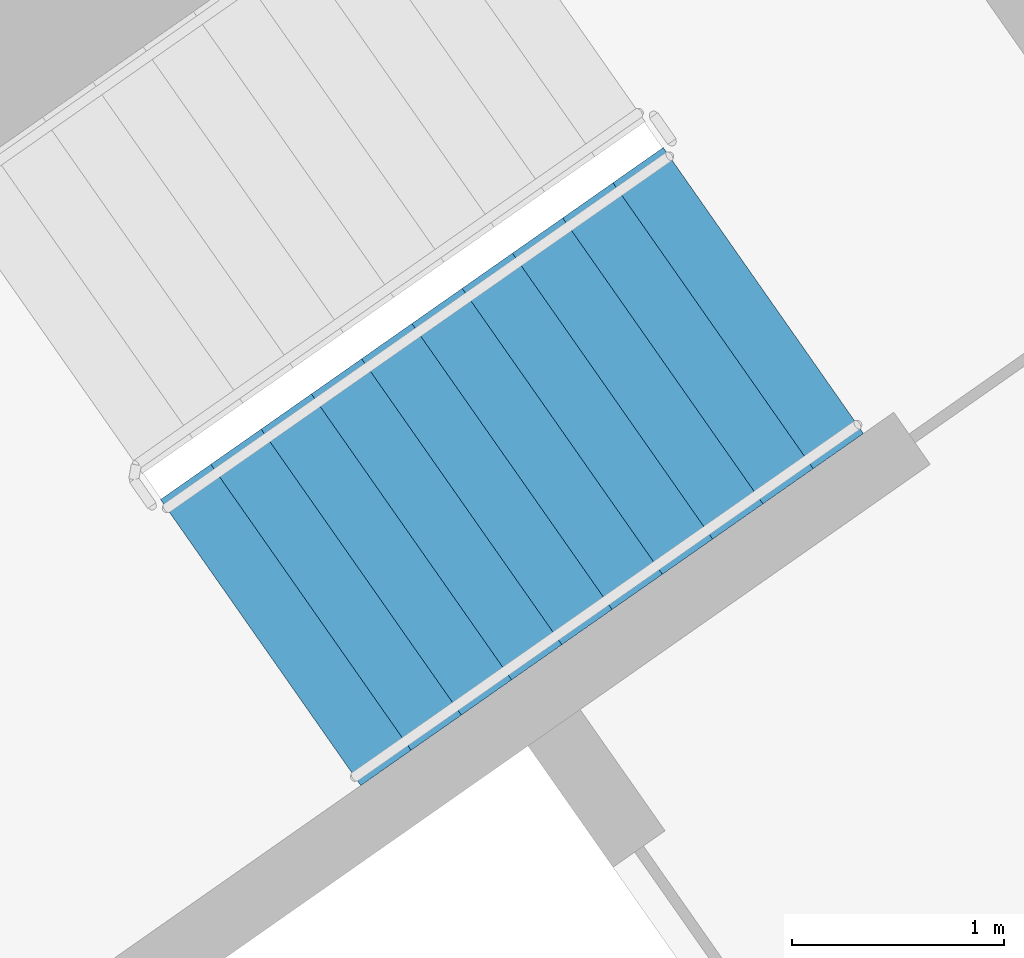
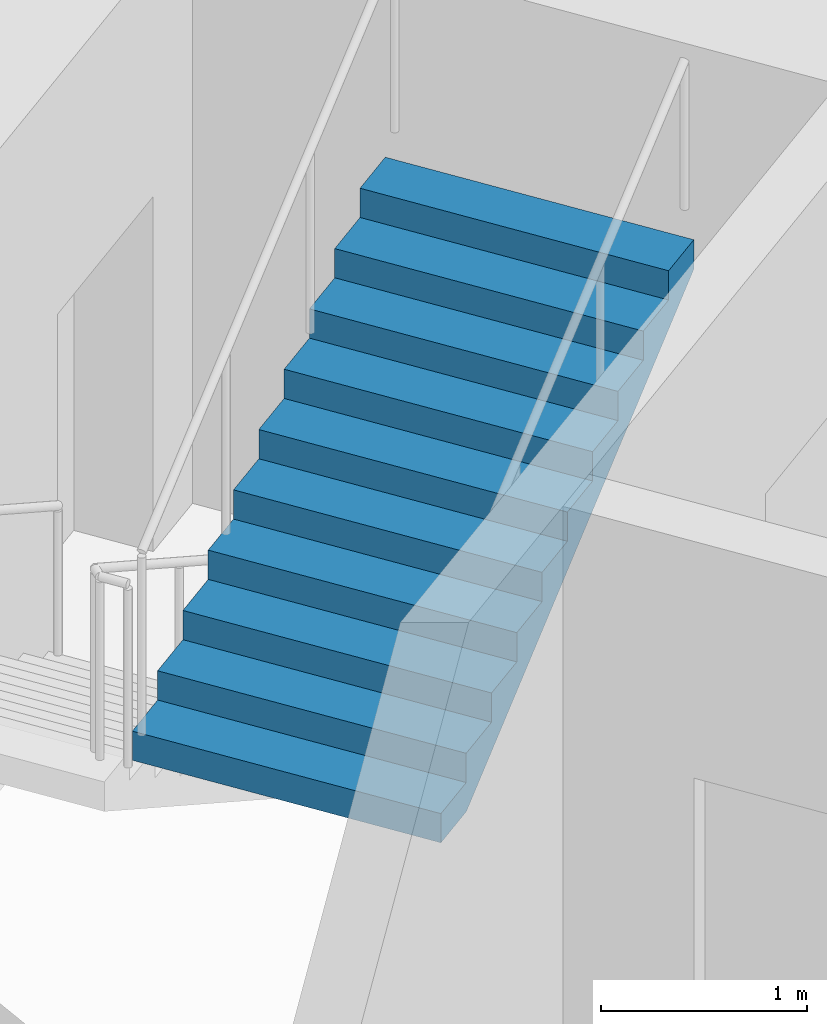
# One storey, part 14 of 31: 1 stair flight, 1 element without a shape of its own.
"""IFC4 building model written with IfcOpenShell, lengths in metres."""

import ifcopenshell
import ifcopenshell.guid

model = None  # the IFC model being written
_history = None  # IfcOwnerHistory: only IFC2X3 demands one
_inside = {}  # id of a spatial element -> (the spatial element, [elements in it])
_under = {}  # id of a project, library or spatial element -> (it, [spatial elements below it])
_declared = {}  # id of a project -> (the project, [libraries it declares])
_typed = {}  # id of a type object -> (the type object, [elements of that type])
_made_of = {}  # id of a material, layer set ... -> (it, [elements and type objects made of it])


def new_model(schema):
    """Start an empty IFC model of exactly this schema.

    Asked for "IFC4X3", IfcOpenShell would pick the latest addendum, in which some entities
    have other attributes; the version numbers below select the first issue.
    IFC2X3 requires an IfcOwnerHistory on every rooted entity: one is made here for all.
    """
    global model, _history
    if schema == "IFC4X3":
        model = ifcopenshell.file(schema_version=(4, 3, 0, 0))
    else:
        model = ifcopenshell.file(schema=schema)
    _inside.clear()
    _under.clear()
    _declared.clear()
    _typed.clear()
    _made_of.clear()
    _history = None
    if model.schema == "IFC2X3":
        org = make("IfcOrganization", Name="unknown")
        user = make(
            "IfcPersonAndOrganization",
            ThePerson=make("IfcPerson", FamilyName="unknown"),
            TheOrganization=org,
        )
        app = make(
            "IfcApplication",
            ApplicationDeveloper=org,
            Version="unknown",
            ApplicationFullName="unknown",
            ApplicationIdentifier="unknown",
        )
        _history = make(
            "IfcOwnerHistory",
            OwningUser=user,
            OwningApplication=app,
            ChangeAction="ADDED",
            CreationDate=0,
        )
    return model


def make(cls, **values):
    """One entity of the class cls with the attributes given. An attribute that is None is left unset."""
    return model.create_entity(
        cls, **{name: value for name, value in values.items() if value is not None}
    )


def rooted(cls, **values):
    """An entity with a GlobalId (a new one), such as an element, a storey or a relation."""
    return make(cls, GlobalId=ifcopenshell.guid.new(), OwnerHistory=_history, **values)


def si_unit(unit_type, name, prefix=None):
    """IfcSIUnit, for example si_unit("LENGTHUNIT", "METRE", prefix="MILLI")."""
    return make("IfcSIUnit", UnitType=unit_type, Prefix=prefix, Name=name)


def assignment(units):
    """IfcUnitAssignment: the units of a project."""
    return None if units is None else make("IfcUnitAssignment", Units=units)


def point(xyz):
    """IfcCartesianPoint."""
    return None if xyz is None else make("IfcCartesianPoint", Coordinates=xyz)


def direction(xyz):
    """IfcDirection."""
    return None if xyz is None else make("IfcDirection", DirectionRatios=xyz)


def frame(location, z_axis=None, x_axis=None):
    """IfcAxis2Placement3D, a coordinate frame: its origin and axes. An axis left out is left unset."""
    return make(
        "IfcAxis2Placement3D",
        Location=point(location),
        Axis=direction(z_axis),
        RefDirection=direction(x_axis),
    )


def origin():
    """The frame at (0, 0, 0) with its axes left unset."""
    return frame((0.0, 0.0, 0.0))


def place(relative_to, where):
    """IfcLocalPlacement: puts the frame where relative to a parent placement (None: the world)."""
    return make(
        "IfcLocalPlacement", PlacementRelTo=relative_to, RelativePlacement=where
    )


def context(
    kind, dimensions, precision=None, world=None, true_north=None, identifier=None
):
    """IfcGeometricRepresentationContext, for example the 3D "Model" context."""
    return make(
        "IfcGeometricRepresentationContext",
        ContextIdentifier=identifier,
        ContextType=kind,
        CoordinateSpaceDimension=dimensions,
        Precision=precision,
        WorldCoordinateSystem=world,
        TrueNorth=true_north,
    )


def subcontext(parent, identifier, kind, view, scale=None):
    """IfcGeometricRepresentationSubContext, for example "Body" below "Model"."""
    return make(
        "IfcGeometricRepresentationSubContext",
        ContextIdentifier=identifier,
        ContextType=kind,
        ParentContext=parent,
        TargetScale=scale,
        TargetView=view,
    )


def project(units=None, contexts=None):
    """IfcProject with its units and contexts."""
    return rooted(
        "IfcProject",
        Name="project",
        RepresentationContexts=contexts,
        UnitsInContext=assignment(units),
    )


def spatial(cls, under=None, at=None, **own):
    """A site, building, storey or space (cls), placed at a placement, below another one or the project."""
    s = rooted(cls, ObjectPlacement=at, **own)
    if under is not None:
        _under.setdefault(under.id(), (under, []))[1].append(s)
    return s


def faces_of(points, faces, orient=None, outer=None):
    """IfcFace entities. A face is a list of loops; a loop is a list of indices into points, from 0.

    orient and outer hold one flag for each loop. By default every Orientation is true, the
    first loop of a face is its IfcFaceOuterBound and the others are IfcFaceBound.
    """
    made = []
    for i, loops in enumerate(faces):
        bounds = []
        for j, loop in enumerate(loops):
            is_outer = j == 0 if outer is None else outer[i][j]
            bounds.append(
                make(
                    "IfcFaceOuterBound" if is_outer else "IfcFaceBound",
                    Bound=make("IfcPolyLoop", Polygon=[points[k] for k in loop]),
                    Orientation=True if orient is None else orient[i][j],
                )
            )
        made.append(make("IfcFace", Bounds=bounds))
    return made


def faceted_brep(points, faces, orient=None, outer=None, voids=None):
    """IfcFacetedBrep: a solid bounded by flat faces; with voids (closed shells), ...WithVoids."""
    shared = [point(p) for p in points]
    hull = make("IfcClosedShell", CfsFaces=faces_of(shared, faces, orient, outer))
    if voids is None:
        return make("IfcFacetedBrep", Outer=hull)
    return make(
        "IfcFacetedBrepWithVoids",
        Outer=hull,
        Voids=[
            make(cls, CfsFaces=faces_of(shared, fs, o, b)) for cls, fs, o, b in voids
        ],
    )


def shape(context_of_items, identifier, shape_type, items):
    """IfcShapeRepresentation: the items that make up one representation, for example the "Body"."""
    return make(
        "IfcShapeRepresentation",
        ContextOfItems=context_of_items,
        RepresentationIdentifier=identifier,
        RepresentationType=shape_type,
        Items=items,
    )


def material(Name=None, Category=None):
    """IfcMaterial."""
    return make("IfcMaterial", Name=Name, Category=Category)


def made_of(thing, what):
    """Note that an element or type object is made of a material, layer set ...; save() writes the relation."""
    if what is not None:
        _made_of.setdefault(what.id(), (what, []))[1].append(thing)
    return thing


def type_object(cls, material=None, **own):
    """A type object (cls), such as IfcWallType, which elements share."""
    return made_of(rooted(cls, **own), material)


def element(
    cls,
    number,
    at=None,
    inside=None,
    cuts=None,
    type_object=None,
    material=None,
    context=None,
    identifier="Body",
    shape_type=None,
    held_by="IfcProductDefinitionShape",
    body=None,
    shapes=None,
    **own,
):
    """One element of the class cls, such as IfcWall. Its Tag is "e" and its number.

    at: its placement. inside: the storey or other place that contains it. cuts: it is an
    opening in that element (IfcRelVoidsElement). A single representation is given by context,
    identifier, shape_type and body (its items); several are given by shapes. held_by: the class
    of the entity that holds the representations. save() writes the other relations.
    """
    e = rooted(cls, Tag="e%d" % number, ObjectPlacement=at, **own)
    if body is not None:
        shapes = [shape(context, identifier, shape_type, body)]
    if shapes is not None:
        e.Representation = make(held_by, Representations=shapes)
    if inside is not None:
        _inside.setdefault(inside.id(), (inside, []))[1].append(e)
    if cuts is not None:
        rooted(
            "IfcRelVoidsElement", RelatingBuildingElement=cuts, RelatedOpeningElement=e
        )
    if type_object is not None:
        _typed.setdefault(type_object.id(), (type_object, []))[1].append(e)
    return made_of(e, material)


def aggregate(whole, parts):
    """IfcRelAggregates: a whole, such as a stair, and the parts it consists of."""
    return rooted("IfcRelAggregates", RelatingObject=whole, RelatedObjects=parts)


def save(model, path):
    """Write the relations noted so far, then the file.

    IfcRelAggregates (storeys below a building ...), IfcRelContainedInSpatialStructure (elements
    in a storey), IfcRelDefinesByType, IfcRelAssociatesMaterial and IfcRelDeclares: one each for
    every whole, place, type object, material and project.
    """
    for whole, parts in _under.values():
        aggregate(whole, parts)
    for where, things in _inside.values():
        rooted(
            "IfcRelContainedInSpatialStructure",
            RelatedElements=things,
            RelatingStructure=where,
        )
    for kind, things in _typed.values():
        rooted("IfcRelDefinesByType", RelatedObjects=things, RelatingType=kind)
    for what, things in _made_of.values():
        rooted("IfcRelAssociatesMaterial", RelatedObjects=things, RelatingMaterial=what)
    for by, libraries in _declared.values():
        rooted("IfcRelDeclares", RelatingContext=by, RelatedDefinitions=libraries)
    model.write(path)


model = new_model("IFC4")

# Units and contexts
model_context = context("Model", 3, precision=1e-05, world=origin(), true_north=direction((0.0, 1.0)))
body_context = subcontext(model_context, "Body", "Model", "MODEL_VIEW")
ifc_project = project(units=[si_unit("LENGTHUNIT", "METRE"), si_unit("AREAUNIT", "SQUARE_METRE"), si_unit("VOLUMEUNIT", "CUBIC_METRE"), si_unit("PLANEANGLEUNIT", "RADIAN"), si_unit("MASSUNIT", "GRAM", prefix="KILO")], contexts=[model_context])

# Site, building, storey
site_placement = place(None, origin())
site = spatial("IfcSite", under=ifc_project, at=site_placement, CompositionType="ELEMENT")
building_placement = place(site_placement, origin())
building = spatial("IfcBuilding", under=site, at=building_placement, Name="Qamariyya Broadcast Tower", CompositionType="ELEMENT")
storey_placement = place(building_placement, frame((0.0, 0.0, 51.89990234375)))
storey = spatial("IfcBuildingStorey", under=building, at=storey_placement, Name="L09", CompositionType="ELEMENT", Elevation=51.89990234375)

# Stair, stair flight
ifc_material = material(Name="Concrete C50/60", Category="concrete")
stair_type = type_object("IfcStairType", Name="Exit stair 22 risers of 173 mm", PredefinedType="HALF_TURN_STAIR", material=ifc_material)
stair_placement = place(storey_placement, origin())
stair = element("IfcStair", 1, at=stair_placement, inside=storey, type_object=stair_type, Name="L09 Stair E2", PredefinedType="HALF_TURN_STAIR")
stair_flight_type = type_object("IfcStairFlightType", Name="Exit stair flight 11 risers of 173 mm", PredefinedType="STRAIGHT", material=ifc_material)
stair_flight_placement = place(storey_placement, frame((39.215576171875, -50.822998046875, 1.900146484375), z_axis=(0.0, 0.0, 1.0), x_axis=(0.819152044289, 0.573576436351, 0.0)))
stair_flight = element("IfcStairFlight", 2, at=stair_flight_placement, type_object=stair_flight_type, Name="ST-E2 flight 2", NumberOfRisers=11, NumberOfTreads=10, PredefinedType="STRAIGHT", RiserHeight=0.172727273, TreadLength=0.29, context=body_context, shape_type="Brep", body=[
    faceted_brep([(0.0, 0.824951171875, 0.0), (0.0, 0.824951171875, 0.172607421875), (0.2900390625, 0.824951171875, 0.172607421875), (0.2900390625, 0.824951171875, 0.345458984375), (0.580078125, 0.824951171875, 0.345458984375), (0.580078125, 0.824951171875, 0.51806640625), (0.8701171875, 0.824951171875, 0.51806640625), (0.8701171875, 0.824951171875, 0.69091796875), (1.159912109375, 0.824951171875, 0.69091796875), (1.159912109375, 0.824951171875, 0.863525390625), (1.449951171875, 0.824951171875, 0.863525390625), (1.449951171875, 0.824951171875, 1.036376953125), (1.739990234375, 0.824951171875, 1.036376953125), (1.739990234375, 0.824951171875, 1.208984375), (2.030029296875, 0.824951171875, 1.208984375), (2.030029296875, 0.824951171875, 1.3818359375), (2.320068359375, 0.824951171875, 1.3818359375), (2.320068359375, 0.824951171875, 1.554443359375), (2.610107421875, 0.824951171875, 1.554443359375), (2.610107421875, 0.824951171875, 1.727294921875), (2.89990234375, 0.824951171875, 1.727294921875), (2.89990234375, 0.824951171875, 1.552734375), (0.29296875, 0.824951171875, 0.0), (0.29296875, -0.824951171875, 0.0), (2.89990234375, -0.824951171875, 1.552734375), (2.89990234375, -0.824951171875, 1.727294921875), (2.610107421875, -0.824951171875, 1.727294921875), (2.610107421875, -0.824951171875, 1.554443359375), (2.320068359375, -0.824951171875, 1.554443359375), (2.320068359375, -0.824951171875, 1.3818359375), (2.030029296875, -0.824951171875, 1.3818359375), (2.030029296875, -0.824951171875, 1.208984375), (1.739990234375, -0.824951171875, 1.208984375), (1.739990234375, -0.824951171875, 1.036376953125), (1.449951171875, -0.824951171875, 1.036376953125), (1.449951171875, -0.824951171875, 0.863525390625), (1.159912109375, -0.824951171875, 0.863525390625), (1.159912109375, -0.824951171875, 0.69091796875), (0.8701171875, -0.824951171875, 0.69091796875), (0.8701171875, -0.824951171875, 0.51806640625), (0.580078125, -0.824951171875, 0.51806640625), (0.580078125, -0.824951171875, 0.345458984375), (0.2900390625, -0.824951171875, 0.345458984375), (0.2900390625, -0.824951171875, 0.172607421875), (0.0, -0.824951171875, 0.172607421875), (0.0, -0.824951171875, 0.0), (0.0, 0.10009765625, 0.0), (0.0, 0.086669921875, 0.0), (0.0, 0.0732421875, 0.0), (0.0, 0.06005859375, 0.0), (0.0, 0.046630859375, 0.0), (0.0, 0.033447265625, 0.0), (0.0, 0.02001953125, 0.0), (0.0, 0.006591796875, 0.0), (0.0, -0.006591796875, 0.0), (0.0, -0.02001953125, 0.0), (0.0, -0.033447265625, 0.0), (0.0, -0.046630859375, 0.0), (0.0, -0.06005859375, 0.0), (0.0, -0.0732421875, 0.0), (0.0, -0.086669921875, 0.0), (0.0, -0.10009765625, 0.0), (0.0, -0.10009765625, 0.172607421875), (0.0, -0.086669921875, 0.172607421875), (0.0, -0.0732421875, 0.172607421875), (0.0, -0.06005859375, 0.172607421875), (0.0, -0.046630859375, 0.172607421875), (0.0, -0.033447265625, 0.172607421875), (0.0, -0.02001953125, 0.172607421875), (0.0, -0.006591796875, 0.172607421875), (0.0, 0.006591796875, 0.172607421875), (0.0, 0.02001953125, 0.172607421875), (0.0, 0.033447265625, 0.172607421875), (0.0, 0.046630859375, 0.172607421875), (0.0, 0.06005859375, 0.172607421875), (0.0, 0.0732421875, 0.172607421875), (0.0, 0.086669921875, 0.172607421875), (0.0, 0.10009765625, 0.172607421875), (0.2900390625, -0.10009765625, 0.172607421875), (0.2900390625, -0.086669921875, 0.172607421875), (0.2900390625, -0.0732421875, 0.172607421875), (0.2900390625, -0.06005859375, 0.172607421875), (0.2900390625, -0.046630859375, 0.172607421875), (0.2900390625, -0.033447265625, 0.172607421875), (0.2900390625, -0.02001953125, 0.172607421875), (0.2900390625, -0.006591796875, 0.172607421875), (0.2900390625, 0.006591796875, 0.172607421875), (0.2900390625, 0.02001953125, 0.172607421875), (0.2900390625, 0.033447265625, 0.172607421875), (0.2900390625, 0.046630859375, 0.172607421875), (0.2900390625, 0.06005859375, 0.172607421875), (0.2900390625, 0.0732421875, 0.172607421875), (0.2900390625, 0.086669921875, 0.172607421875), (0.2900390625, 0.10009765625, 0.172607421875), (0.2900390625, -0.10009765625, 0.345458984375), (0.2900390625, -0.086669921875, 0.345458984375), (0.2900390625, -0.0732421875, 0.345458984375), (0.2900390625, -0.06005859375, 0.345458984375), (0.2900390625, -0.046630859375, 0.345458984375), (0.2900390625, -0.033447265625, 0.345458984375), (0.2900390625, -0.02001953125, 0.345458984375), (0.2900390625, -0.006591796875, 0.345458984375), (0.2900390625, 0.006591796875, 0.345458984375), (0.2900390625, 0.02001953125, 0.345458984375), (0.2900390625, 0.033447265625, 0.345458984375), (0.2900390625, 0.046630859375, 0.345458984375), (0.2900390625, 0.06005859375, 0.345458984375), (0.2900390625, 0.0732421875, 0.345458984375), (0.2900390625, 0.086669921875, 0.345458984375), (0.2900390625, 0.10009765625, 0.345458984375), (0.580078125, -0.10009765625, 0.345458984375), (0.580078125, -0.086669921875, 0.345458984375), (0.580078125, -0.0732421875, 0.345458984375), (0.580078125, -0.06005859375, 0.345458984375), (0.580078125, -0.046630859375, 0.345458984375), (0.580078125, -0.033447265625, 0.345458984375), (0.580078125, -0.02001953125, 0.345458984375), (0.580078125, -0.006591796875, 0.345458984375), (0.580078125, 0.006591796875, 0.345458984375), (0.580078125, 0.02001953125, 0.345458984375), (0.580078125, 0.033447265625, 0.345458984375), (0.580078125, 0.046630859375, 0.345458984375), (0.580078125, 0.06005859375, 0.345458984375), (0.580078125, 0.0732421875, 0.345458984375), (0.580078125, 0.086669921875, 0.345458984375), (0.580078125, 0.10009765625, 0.345458984375), (0.580078125, -0.10009765625, 0.51806640625), (0.580078125, -0.086669921875, 0.51806640625), (0.580078125, -0.0732421875, 0.51806640625), (0.580078125, -0.06005859375, 0.51806640625), (0.580078125, -0.046630859375, 0.51806640625), (0.580078125, -0.033447265625, 0.51806640625), (0.580078125, -0.02001953125, 0.51806640625), (0.580078125, -0.006591796875, 0.51806640625), (0.580078125, 0.006591796875, 0.51806640625), (0.580078125, 0.02001953125, 0.51806640625), (0.580078125, 0.033447265625, 0.51806640625), (0.580078125, 0.046630859375, 0.51806640625), (0.580078125, 0.06005859375, 0.51806640625), (0.580078125, 0.0732421875, 0.51806640625), (0.580078125, 0.086669921875, 0.51806640625), (0.580078125, 0.10009765625, 0.51806640625), (0.8701171875, -0.10009765625, 0.51806640625), (0.8701171875, -0.086669921875, 0.51806640625), (0.8701171875, -0.0732421875, 0.51806640625), (0.8701171875, -0.06005859375, 0.51806640625), (0.8701171875, -0.046630859375, 0.51806640625), (0.8701171875, -0.033447265625, 0.51806640625), (0.8701171875, -0.02001953125, 0.51806640625), (0.8701171875, -0.006591796875, 0.51806640625), (0.8701171875, 0.006591796875, 0.51806640625), (0.8701171875, 0.02001953125, 0.51806640625), (0.8701171875, 0.033447265625, 0.51806640625), (0.8701171875, 0.046630859375, 0.51806640625), (0.8701171875, 0.06005859375, 0.51806640625), (0.8701171875, 0.0732421875, 0.51806640625), (0.8701171875, 0.086669921875, 0.51806640625), (0.8701171875, 0.10009765625, 0.51806640625), (0.8701171875, -0.10009765625, 0.69091796875), (0.8701171875, -0.086669921875, 0.69091796875), (0.8701171875, -0.0732421875, 0.69091796875), (0.8701171875, -0.06005859375, 0.69091796875), (0.8701171875, -0.046630859375, 0.69091796875), (0.8701171875, -0.033447265625, 0.69091796875), (0.8701171875, -0.02001953125, 0.69091796875), (0.8701171875, -0.006591796875, 0.69091796875), (0.8701171875, 0.006591796875, 0.69091796875), (0.8701171875, 0.02001953125, 0.69091796875), (0.8701171875, 0.033447265625, 0.69091796875), (0.8701171875, 0.046630859375, 0.69091796875), (0.8701171875, 0.06005859375, 0.69091796875), (0.8701171875, 0.0732421875, 0.69091796875), (0.8701171875, 0.086669921875, 0.69091796875), (0.8701171875, 0.10009765625, 0.69091796875), (1.159912109375, -0.10009765625, 0.69091796875), (1.159912109375, -0.086669921875, 0.69091796875), (1.159912109375, -0.0732421875, 0.69091796875), (1.159912109375, -0.06005859375, 0.69091796875), (1.159912109375, -0.046630859375, 0.69091796875), (1.159912109375, -0.033447265625, 0.69091796875), (1.159912109375, -0.02001953125, 0.69091796875), (1.159912109375, -0.006591796875, 0.69091796875), (1.159912109375, 0.006591796875, 0.69091796875), (1.159912109375, 0.02001953125, 0.69091796875), (1.159912109375, 0.033447265625, 0.69091796875), (1.159912109375, 0.046630859375, 0.69091796875), (1.159912109375, 0.06005859375, 0.69091796875), (1.159912109375, 0.0732421875, 0.69091796875), (1.159912109375, 0.086669921875, 0.69091796875), (1.159912109375, 0.10009765625, 0.69091796875), (1.159912109375, -0.10009765625, 0.863525390625), (1.159912109375, -0.086669921875, 0.863525390625), (1.159912109375, -0.0732421875, 0.863525390625), (1.159912109375, -0.06005859375, 0.863525390625), (1.159912109375, -0.046630859375, 0.863525390625), (1.159912109375, -0.033447265625, 0.863525390625), (1.159912109375, -0.02001953125, 0.863525390625), (1.159912109375, -0.006591796875, 0.863525390625), (1.159912109375, 0.006591796875, 0.863525390625), (1.159912109375, 0.02001953125, 0.863525390625), (1.159912109375, 0.033447265625, 0.863525390625), (1.159912109375, 0.046630859375, 0.863525390625), (1.159912109375, 0.06005859375, 0.863525390625), (1.159912109375, 0.0732421875, 0.863525390625), (1.159912109375, 0.086669921875, 0.863525390625), (1.159912109375, 0.10009765625, 0.863525390625), (1.449951171875, -0.10009765625, 0.863525390625), (1.449951171875, -0.086669921875, 0.863525390625), (1.449951171875, -0.0732421875, 0.863525390625), (1.449951171875, -0.06005859375, 0.863525390625), (1.449951171875, -0.046630859375, 0.863525390625), (1.449951171875, -0.033447265625, 0.863525390625), (1.449951171875, -0.02001953125, 0.863525390625), (1.449951171875, -0.006591796875, 0.863525390625), (1.449951171875, 0.006591796875, 0.863525390625), (1.449951171875, 0.02001953125, 0.863525390625), (1.449951171875, 0.033447265625, 0.863525390625), (1.449951171875, 0.046630859375, 0.863525390625), (1.449951171875, 0.06005859375, 0.863525390625), (1.449951171875, 0.0732421875, 0.863525390625), (1.449951171875, 0.086669921875, 0.863525390625), (1.449951171875, 0.10009765625, 0.863525390625), (1.449951171875, -0.10009765625, 1.036376953125), (1.449951171875, -0.086669921875, 1.036376953125), (1.449951171875, -0.0732421875, 1.036376953125), (1.449951171875, -0.06005859375, 1.036376953125), (1.449951171875, -0.046630859375, 1.036376953125), (1.449951171875, -0.033447265625, 1.036376953125), (1.449951171875, -0.02001953125, 1.036376953125), (1.449951171875, -0.006591796875, 1.036376953125), (1.449951171875, 0.006591796875, 1.036376953125), (1.449951171875, 0.02001953125, 1.036376953125), (1.449951171875, 0.033447265625, 1.036376953125), (1.449951171875, 0.046630859375, 1.036376953125), (1.449951171875, 0.06005859375, 1.036376953125), (1.449951171875, 0.0732421875, 1.036376953125), (1.449951171875, 0.086669921875, 1.036376953125), (1.449951171875, 0.10009765625, 1.036376953125), (1.739990234375, -0.10009765625, 1.036376953125), (1.739990234375, -0.086669921875, 1.036376953125), (1.739990234375, -0.0732421875, 1.036376953125), (1.739990234375, -0.06005859375, 1.036376953125), (1.739990234375, -0.046630859375, 1.036376953125), (1.739990234375, -0.033447265625, 1.036376953125), (1.739990234375, -0.02001953125, 1.036376953125), (1.739990234375, -0.006591796875, 1.036376953125), (1.739990234375, 0.006591796875, 1.036376953125), (1.739990234375, 0.02001953125, 1.036376953125), (1.739990234375, 0.033447265625, 1.036376953125), (1.739990234375, 0.046630859375, 1.036376953125), (1.739990234375, 0.06005859375, 1.036376953125), (1.739990234375, 0.0732421875, 1.036376953125), (1.739990234375, 0.086669921875, 1.036376953125), (1.739990234375, 0.10009765625, 1.036376953125), (1.739990234375, -0.10009765625, 1.208984375), (1.739990234375, -0.086669921875, 1.208984375), (1.739990234375, -0.0732421875, 1.208984375), (1.739990234375, -0.06005859375, 1.208984375), (1.739990234375, -0.046630859375, 1.208984375), (1.739990234375, -0.033447265625, 1.208984375), (1.739990234375, -0.02001953125, 1.208984375), (1.739990234375, -0.006591796875, 1.208984375), (1.739990234375, 0.006591796875, 1.208984375), (1.739990234375, 0.02001953125, 1.208984375), (1.739990234375, 0.033447265625, 1.208984375), (1.739990234375, 0.046630859375, 1.208984375), (1.739990234375, 0.06005859375, 1.208984375), (1.739990234375, 0.0732421875, 1.208984375), (1.739990234375, 0.086669921875, 1.208984375), (1.739990234375, 0.10009765625, 1.208984375), (2.030029296875, -0.10009765625, 1.208984375), (2.030029296875, -0.086669921875, 1.208984375), (2.030029296875, -0.0732421875, 1.208984375), (2.030029296875, -0.06005859375, 1.208984375), (2.030029296875, -0.046630859375, 1.208984375), (2.030029296875, -0.033447265625, 1.208984375), (2.030029296875, -0.02001953125, 1.208984375), (2.030029296875, -0.006591796875, 1.208984375), (2.030029296875, 0.006591796875, 1.208984375), (2.030029296875, 0.02001953125, 1.208984375), (2.030029296875, 0.033447265625, 1.208984375), (2.030029296875, 0.046630859375, 1.208984375), (2.030029296875, 0.06005859375, 1.208984375), (2.030029296875, 0.0732421875, 1.208984375), (2.030029296875, 0.086669921875, 1.208984375), (2.030029296875, 0.10009765625, 1.208984375), (2.030029296875, -0.10009765625, 1.3818359375), (2.030029296875, -0.086669921875, 1.3818359375), (2.030029296875, -0.0732421875, 1.3818359375), (2.030029296875, -0.06005859375, 1.3818359375), (2.030029296875, -0.046630859375, 1.3818359375), (2.030029296875, -0.033447265625, 1.3818359375), (2.030029296875, -0.02001953125, 1.3818359375), (2.030029296875, -0.006591796875, 1.3818359375), (2.030029296875, 0.006591796875, 1.3818359375), (2.030029296875, 0.02001953125, 1.3818359375), (2.030029296875, 0.033447265625, 1.3818359375), (2.030029296875, 0.046630859375, 1.3818359375), (2.030029296875, 0.06005859375, 1.3818359375), (2.030029296875, 0.0732421875, 1.3818359375), (2.030029296875, 0.086669921875, 1.3818359375), (2.030029296875, 0.10009765625, 1.3818359375), (2.320068359375, -0.10009765625, 1.3818359375), (2.320068359375, -0.086669921875, 1.3818359375), (2.320068359375, -0.0732421875, 1.3818359375), (2.320068359375, -0.06005859375, 1.3818359375), (2.320068359375, -0.046630859375, 1.3818359375), (2.320068359375, -0.033447265625, 1.3818359375), (2.320068359375, -0.02001953125, 1.3818359375), (2.320068359375, -0.006591796875, 1.3818359375), (2.320068359375, 0.006591796875, 1.3818359375), (2.320068359375, 0.02001953125, 1.3818359375), (2.320068359375, 0.033447265625, 1.3818359375), (2.320068359375, 0.046630859375, 1.3818359375), (2.320068359375, 0.06005859375, 1.3818359375), (2.320068359375, 0.0732421875, 1.3818359375), (2.320068359375, 0.086669921875, 1.3818359375), (2.320068359375, 0.10009765625, 1.3818359375), (2.320068359375, -0.10009765625, 1.554443359375), (2.320068359375, -0.086669921875, 1.554443359375), (2.320068359375, -0.0732421875, 1.554443359375), (2.320068359375, -0.06005859375, 1.554443359375), (2.320068359375, -0.046630859375, 1.554443359375), (2.320068359375, -0.033447265625, 1.554443359375), (2.320068359375, -0.02001953125, 1.554443359375), (2.320068359375, -0.006591796875, 1.554443359375), (2.320068359375, 0.006591796875, 1.554443359375), (2.320068359375, 0.02001953125, 1.554443359375), (2.320068359375, 0.033447265625, 1.554443359375), (2.320068359375, 0.046630859375, 1.554443359375), (2.320068359375, 0.06005859375, 1.554443359375), (2.320068359375, 0.0732421875, 1.554443359375), (2.320068359375, 0.086669921875, 1.554443359375), (2.320068359375, 0.10009765625, 1.554443359375), (2.610107421875, -0.10009765625, 1.554443359375), (2.610107421875, -0.086669921875, 1.554443359375), (2.610107421875, -0.0732421875, 1.554443359375), (2.610107421875, -0.06005859375, 1.554443359375), (2.610107421875, -0.046630859375, 1.554443359375), (2.610107421875, -0.033447265625, 1.554443359375), (2.610107421875, -0.02001953125, 1.554443359375), (2.610107421875, -0.006591796875, 1.554443359375), (2.610107421875, 0.006591796875, 1.554443359375), (2.610107421875, 0.02001953125, 1.554443359375), (2.610107421875, 0.033447265625, 1.554443359375), (2.610107421875, 0.046630859375, 1.554443359375), (2.610107421875, 0.06005859375, 1.554443359375), (2.610107421875, 0.0732421875, 1.554443359375), (2.610107421875, 0.086669921875, 1.554443359375), (2.610107421875, 0.10009765625, 1.554443359375), (2.610107421875, -0.10009765625, 1.727294921875), (2.610107421875, -0.086669921875, 1.727294921875), (2.610107421875, -0.0732421875, 1.727294921875), (2.610107421875, -0.06005859375, 1.727294921875), (2.610107421875, -0.046630859375, 1.727294921875), (2.610107421875, -0.033447265625, 1.727294921875), (2.610107421875, -0.02001953125, 1.727294921875), (2.610107421875, -0.006591796875, 1.727294921875), (2.610107421875, 0.006591796875, 1.727294921875), (2.610107421875, 0.02001953125, 1.727294921875), (2.610107421875, 0.033447265625, 1.727294921875), (2.610107421875, 0.046630859375, 1.727294921875), (2.610107421875, 0.06005859375, 1.727294921875), (2.610107421875, 0.0732421875, 1.727294921875), (2.610107421875, 0.086669921875, 1.727294921875), (2.610107421875, 0.10009765625, 1.727294921875), (2.89990234375, -0.10009765625, 1.727294921875), (2.89990234375, -0.086669921875, 1.727294921875), (2.89990234375, -0.0732421875, 1.727294921875), (2.89990234375, -0.06005859375, 1.727294921875), (2.89990234375, -0.046630859375, 1.727294921875), (2.89990234375, -0.033447265625, 1.727294921875), (2.89990234375, -0.02001953125, 1.727294921875), (2.89990234375, -0.006591796875, 1.727294921875), (2.89990234375, 0.006591796875, 1.727294921875), (2.89990234375, 0.02001953125, 1.727294921875), (2.89990234375, 0.033447265625, 1.727294921875), (2.89990234375, 0.046630859375, 1.727294921875), (2.89990234375, 0.06005859375, 1.727294921875), (2.89990234375, 0.0732421875, 1.727294921875), (2.89990234375, 0.086669921875, 1.727294921875), (2.89990234375, 0.10009765625, 1.727294921875), (2.89990234375, -0.10009765625, 1.552734375), (2.89990234375, -0.086669921875, 1.552734375), (2.89990234375, -0.0732421875, 1.552734375), (2.89990234375, -0.06005859375, 1.552734375), (2.89990234375, -0.046630859375, 1.552734375), (2.89990234375, -0.033447265625, 1.552734375), (2.89990234375, -0.02001953125, 1.552734375), (2.89990234375, -0.006591796875, 1.552734375), (2.89990234375, 0.006591796875, 1.552734375), (2.89990234375, 0.02001953125, 1.552734375), (2.89990234375, 0.033447265625, 1.552734375), (2.89990234375, 0.046630859375, 1.552734375), (2.89990234375, 0.06005859375, 1.552734375), (2.89990234375, 0.0732421875, 1.552734375), (2.89990234375, 0.086669921875, 1.552734375), (2.89990234375, 0.10009765625, 1.552734375), (0.29296875, -0.10009765625, 0.0), (0.29296875, -0.086669921875, 0.0), (0.29296875, -0.0732421875, 0.0), (0.29296875, -0.06005859375, 0.0), (0.29296875, -0.046630859375, 0.0), (0.29296875, -0.033447265625, 0.0), (0.29296875, -0.02001953125, 0.0), (0.29296875, -0.006591796875, 0.0), (0.29296875, 0.006591796875, 0.0), (0.29296875, 0.02001953125, 0.0), (0.29296875, 0.033447265625, 0.0), (0.29296875, 0.046630859375, 0.0), (0.29296875, 0.06005859375, 0.0), (0.29296875, 0.0732421875, 0.0), (0.29296875, 0.086669921875, 0.0), (0.29296875, 0.10009765625, 0.0)], [[[0, 1, 2, 3, 4, 5, 6, 7, 8, 9, 10, 11, 12, 13, 14, 15, 16, 17, 18, 19, 20, 21, 22]], [[23, 24, 25, 26, 27, 28, 29, 30, 31, 32, 33, 34, 35, 36, 37, 38, 39, 40, 41, 42, 43, 44, 45]], [[0, 46, 47, 48, 49, 50, 51, 52, 53, 54, 55, 56, 57, 58, 59, 60, 61, 45, 44, 62, 63, 64, 65, 66, 67, 68, 69, 70, 71, 72, 73, 74, 75, 76, 77, 1]], [[1, 77, 76, 75, 74, 73, 72, 71, 70, 69, 68, 67, 66, 65, 64, 63, 62, 44, 43, 78, 79, 80, 81, 82, 83, 84, 85, 86, 87, 88, 89, 90, 91, 92, 93, 2]], [[2, 93, 92, 91, 90, 89, 88, 87, 86, 85, 84, 83, 82, 81, 80, 79, 78, 43, 42, 94, 95, 96, 97, 98, 99, 100, 101, 102, 103, 104, 105, 106, 107, 108, 109, 3]], [[3, 109, 108, 107, 106, 105, 104, 103, 102, 101, 100, 99, 98, 97, 96, 95, 94, 42, 41, 110, 111, 112, 113, 114, 115, 116, 117, 118, 119, 120, 121, 122, 123, 124, 125, 4]], [[4, 125, 124, 123, 122, 121, 120, 119, 118, 117, 116, 115, 114, 113, 112, 111, 110, 41, 40, 126, 127, 128, 129, 130, 131, 132, 133, 134, 135, 136, 137, 138, 139, 140, 141, 5]], [[5, 141, 140, 139, 138, 137, 136, 135, 134, 133, 132, 131, 130, 129, 128, 127, 126, 40, 39, 142, 143, 144, 145, 146, 147, 148, 149, 150, 151, 152, 153, 154, 155, 156, 157, 6]], [[6, 157, 156, 155, 154, 153, 152, 151, 150, 149, 148, 147, 146, 145, 144, 143, 142, 39, 38, 158, 159, 160, 161, 162, 163, 164, 165, 166, 167, 168, 169, 170, 171, 172, 173, 7]], [[7, 173, 172, 171, 170, 169, 168, 167, 166, 165, 164, 163, 162, 161, 160, 159, 158, 38, 37, 174, 175, 176, 177, 178, 179, 180, 181, 182, 183, 184, 185, 186, 187, 188, 189, 8]], [[8, 189, 188, 187, 186, 185, 184, 183, 182, 181, 180, 179, 178, 177, 176, 175, 174, 37, 36, 190, 191, 192, 193, 194, 195, 196, 197, 198, 199, 200, 201, 202, 203, 204, 205, 9]], [[9, 205, 204, 203, 202, 201, 200, 199, 198, 197, 196, 195, 194, 193, 192, 191, 190, 36, 35, 206, 207, 208, 209, 210, 211, 212, 213, 214, 215, 216, 217, 218, 219, 220, 221, 10]], [[10, 221, 220, 219, 218, 217, 216, 215, 214, 213, 212, 211, 210, 209, 208, 207, 206, 35, 34, 222, 223, 224, 225, 226, 227, 228, 229, 230, 231, 232, 233, 234, 235, 236, 237, 11]], [[11, 237, 236, 235, 234, 233, 232, 231, 230, 229, 228, 227, 226, 225, 224, 223, 222, 34, 33, 238, 239, 240, 241, 242, 243, 244, 245, 246, 247, 248, 249, 250, 251, 252, 253, 12]], [[12, 253, 252, 251, 250, 249, 248, 247, 246, 245, 244, 243, 242, 241, 240, 239, 238, 33, 32, 254, 255, 256, 257, 258, 259, 260, 261, 262, 263, 264, 265, 266, 267, 268, 269, 13]], [[13, 269, 268, 267, 266, 265, 264, 263, 262, 261, 260, 259, 258, 257, 256, 255, 254, 32, 31, 270, 271, 272, 273, 274, 275, 276, 277, 278, 279, 280, 281, 282, 283, 284, 285, 14]], [[14, 285, 284, 283, 282, 281, 280, 279, 278, 277, 276, 275, 274, 273, 272, 271, 270, 31, 30, 286, 287, 288, 289, 290, 291, 292, 293, 294, 295, 296, 297, 298, 299, 300, 301, 15]], [[15, 301, 300, 299, 298, 297, 296, 295, 294, 293, 292, 291, 290, 289, 288, 287, 286, 30, 29, 302, 303, 304, 305, 306, 307, 308, 309, 310, 311, 312, 313, 314, 315, 316, 317, 16]], [[16, 317, 316, 315, 314, 313, 312, 311, 310, 309, 308, 307, 306, 305, 304, 303, 302, 29, 28, 318, 319, 320, 321, 322, 323, 324, 325, 326, 327, 328, 329, 330, 331, 332, 333, 17]], [[17, 333, 332, 331, 330, 329, 328, 327, 326, 325, 324, 323, 322, 321, 320, 319, 318, 28, 27, 334, 335, 336, 337, 338, 339, 340, 341, 342, 343, 344, 345, 346, 347, 348, 349, 18]], [[18, 349, 348, 347, 346, 345, 344, 343, 342, 341, 340, 339, 338, 337, 336, 335, 334, 27, 26, 350, 351, 352, 353, 354, 355, 356, 357, 358, 359, 360, 361, 362, 363, 364, 365, 19]], [[19, 365, 364, 363, 362, 361, 360, 359, 358, 357, 356, 355, 354, 353, 352, 351, 350, 26, 25, 366, 367, 368, 369, 370, 371, 372, 373, 374, 375, 376, 377, 378, 379, 380, 381, 20]], [[20, 381, 380, 379, 378, 377, 376, 375, 374, 373, 372, 371, 370, 369, 368, 367, 366, 25, 24, 382, 383, 384, 385, 386, 387, 388, 389, 390, 391, 392, 393, 394, 395, 396, 397, 21]], [[21, 397, 396, 395, 394, 393, 392, 391, 390, 389, 388, 387, 386, 385, 384, 383, 382, 24, 23, 398, 399, 400, 401, 402, 403, 404, 405, 406, 407, 408, 409, 410, 411, 412, 413, 22]], [[22, 413, 412, 411, 410, 409, 408, 407, 406, 405, 404, 403, 402, 401, 400, 399, 398, 23, 45, 61, 60, 59, 58, 57, 56, 55, 54, 53, 52, 51, 50, 49, 48, 47, 46, 0]]]),
])
aggregate(stair, [stair_flight])

save(model, "model.ifc")
